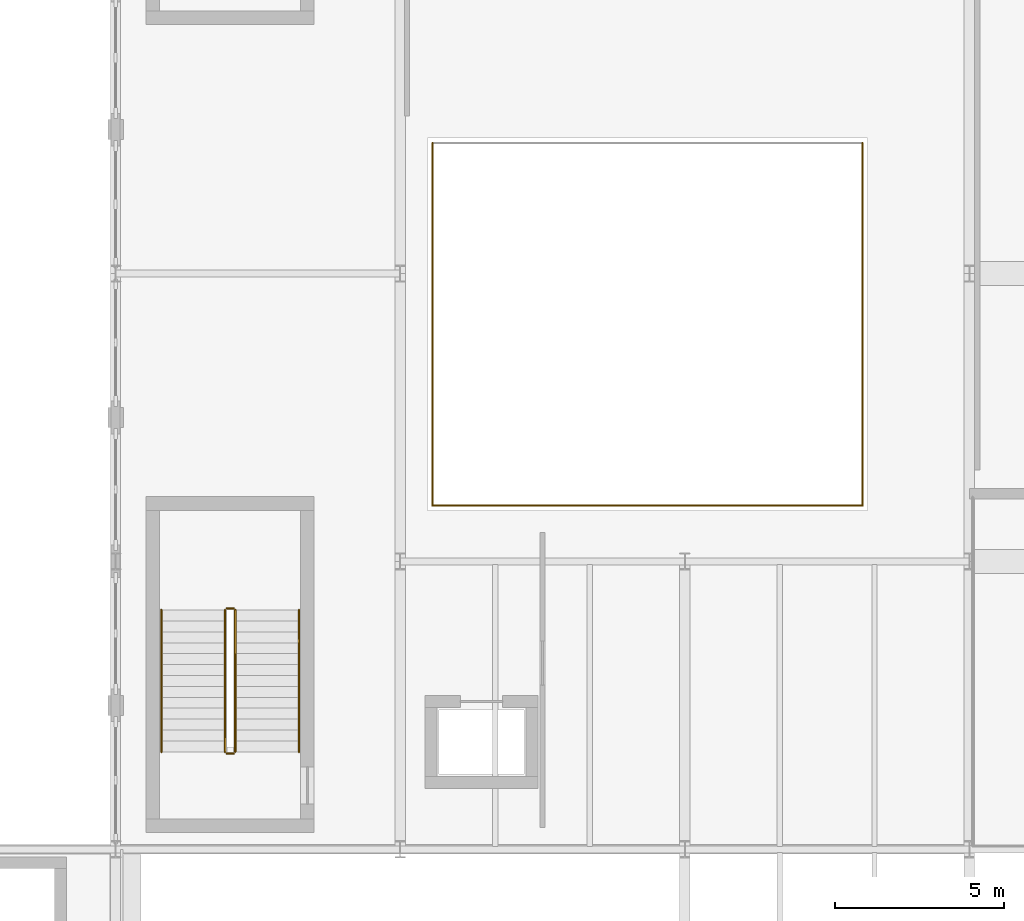
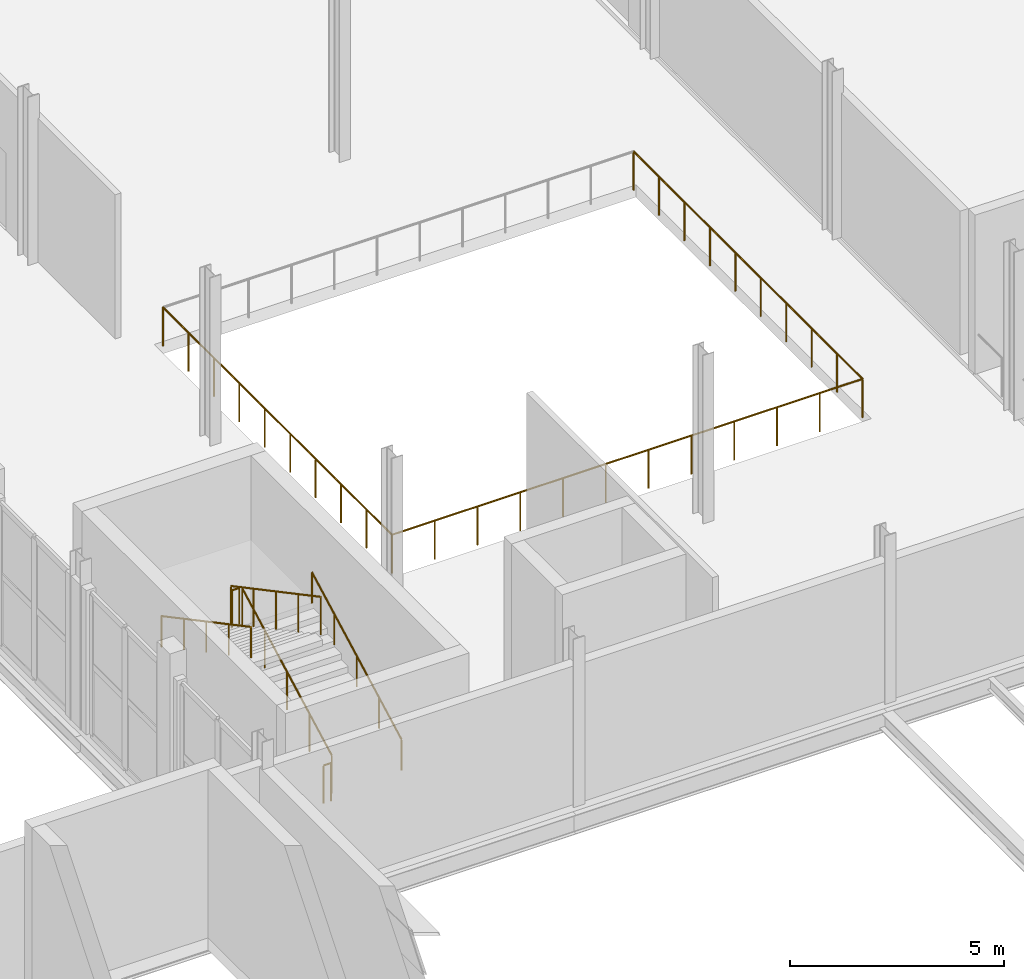
# One storey, part 58 of 63: 9 railings.
"""IFC4 building model written with IfcOpenShell, lengths in metres."""

from ifc_helpers import new_model, si_unit, direction, frame, origin, origin_2d, place, context, subcontext, project, spatial, circle, extrude, material, type_object, element, save


model = new_model("IFC4")

# Units and contexts
model_context = context("Model", 3, precision=1e-05, world=origin(), true_north=direction((0.0, 1.0)))
body_context = subcontext(model_context, "Body", "Model", "MODEL_VIEW")
ifc_project = project(units=[si_unit("LENGTHUNIT", "METRE"), si_unit("AREAUNIT", "SQUARE_METRE"), si_unit("VOLUMEUNIT", "CUBIC_METRE"), si_unit("PLANEANGLEUNIT", "RADIAN"), si_unit("MASSUNIT", "GRAM", prefix="KILO")], contexts=[model_context])

# Site, building, storey
site_placement = place(None, origin())
site = spatial("IfcSite", under=ifc_project, at=site_placement, CompositionType="ELEMENT")
building_placement = place(site_placement, origin())
building = spatial("IfcBuilding", under=site, at=building_placement, Name="Sefraquen Railside Congress Hotel", CompositionType="ELEMENT")
storey_placement = place(building_placement, frame((0.0, 0.0, 11.39990234375)))
storey = spatial("IfcBuildingStorey", under=building, at=storey_placement, Name="L02", CompositionType="ELEMENT", Elevation=11.39990234375)

# Railings
ifc_material = material(Name="Patinated wrought architectural bronze", Category="metal")
railing_type_1 = type_object("IfcRailingType", Name="TRL-BAL-110", PredefinedType="BALUSTRADE", material=ifc_material)
railing_1_placement = place(storey_placement, frame((112.550048828125, 64.14990234375, 0.0)))
element("IfcRailing", 1, at=railing_1_placement, inside=storey, type_object=railing_type_1, Name="Covered Public Passage atrium void guard L02", PredefinedType="BALUSTRADE", context=body_context, shape_type="SweptSolid", body=[
    extrude(circle(Radius=0.02392578125, at=origin_2d()), frame((0.0, 0.0, 1.09619140625), z_axis=(1.0, 0.0, 0.0), x_axis=(0.0, 1.0, 0.0)), (0.0, 0.0, 1.0), 12.699951171875),
    extrude(circle(Radius=0.02099609375, at=origin_2d()), origin(), (0.0, 0.0, 1.0), 1.072021484375),
    extrude(circle(Radius=0.02099609375, at=origin_2d()), frame((1.154541015625, 0.0, 0.0)), (0.0, 0.0, 1.0), 1.072021484375),
    extrude(circle(Radius=0.02099609375, at=origin_2d()), frame((2.30908203125, 0.0, 0.0)), (0.0, 0.0, 1.0), 1.072021484375),
    extrude(circle(Radius=0.02099609375, at=origin_2d()), frame((3.463623046875, 0.0, 0.0)), (0.0, 0.0, 1.0), 1.072021484375),
    extrude(circle(Radius=0.02099609375, at=origin_2d()), frame((4.6181640625, 0.0, 0.0)), (0.0, 0.0, 1.0), 1.072021484375),
    extrude(circle(Radius=0.02099609375, at=origin_2d()), frame((5.772705078125, 0.0, 0.0)), (0.0, 0.0, 1.0), 1.072021484375),
    extrude(circle(Radius=0.02099609375, at=origin_2d()), frame((6.92724609375, 0.0, 0.0)), (0.0, 0.0, 1.0), 1.072021484375),
    extrude(circle(Radius=0.02099609375, at=origin_2d()), frame((8.081787109375, 0.0, 0.0)), (0.0, 0.0, 1.0), 1.072021484375),
    extrude(circle(Radius=0.02099609375, at=origin_2d()), frame((9.236328125, 0.0, 0.0)), (0.0, 0.0, 1.0), 1.072021484375),
    extrude(circle(Radius=0.02099609375, at=origin_2d()), frame((10.390869140625, 0.0, 0.0)), (0.0, 0.0, 1.0), 1.072021484375),
    extrude(circle(Radius=0.02099609375, at=origin_2d()), frame((11.54541015625, 0.0, 0.0)), (0.0, 0.0, 1.0), 1.072021484375),
    extrude(circle(Radius=0.02099609375, at=origin_2d()), frame((12.699951171875, 0.0, 0.0)), (0.0, 0.0, 1.0), 1.072021484375),
])
railing_2_placement = place(storey_placement, frame((125.25, 64.14990234375, 0.0)))
element("IfcRailing", 2, at=railing_2_placement, inside=storey, type_object=railing_type_1, Name="Covered Public Passage atrium void guard L02", PredefinedType="BALUSTRADE", context=body_context, shape_type="SweptSolid", body=[
    extrude(circle(Radius=0.02392578125, at=origin_2d()), frame((0.0, 0.0, 1.09619140625), z_axis=(0.0, 1.0, 0.0), x_axis=(-1.0, 0.0, 0.0)), (0.0, 0.0, 1.0), 10.7001953125),
    extrude(circle(Radius=0.02099609375, at=origin_2d()), origin(), (0.0, 0.0, 1.0), 1.072021484375),
    extrude(circle(Radius=0.02099609375, at=origin_2d()), frame((0.0, 1.18896484375, 0.0)), (0.0, 0.0, 1.0), 1.072021484375),
    extrude(circle(Radius=0.02099609375, at=origin_2d()), frame((0.0, 2.3779296875, 0.0)), (0.0, 0.0, 1.0), 1.072021484375),
    extrude(circle(Radius=0.02099609375, at=origin_2d()), frame((0.0, 3.566650390625, 0.0)), (0.0, 0.0, 1.0), 1.072021484375),
    extrude(circle(Radius=0.02099609375, at=origin_2d()), frame((0.0, 4.755615234375, 0.0)), (0.0, 0.0, 1.0), 1.072021484375),
    extrude(circle(Radius=0.02099609375, at=origin_2d()), frame((0.0, 5.944580078125, 0.0)), (0.0, 0.0, 1.0), 1.072021484375),
    extrude(circle(Radius=0.02099609375, at=origin_2d()), frame((0.0, 7.133544921875, 0.0)), (0.0, 0.0, 1.0), 1.072021484375),
    extrude(circle(Radius=0.02099609375, at=origin_2d()), frame((0.0, 8.322265625, 0.0)), (0.0, 0.0, 1.0), 1.072021484375),
    extrude(circle(Radius=0.02099609375, at=origin_2d()), frame((0.0, 9.51123046875, 0.0)), (0.0, 0.0, 1.0), 1.072021484375),
    extrude(circle(Radius=0.02099609375, at=origin_2d()), frame((0.0, 10.7001953125, 0.0)), (0.0, 0.0, 1.0), 1.072021484375),
])
railing_3_placement = place(storey_placement, frame((112.550048828125, 74.85009765625, 0.0)))
element("IfcRailing", 3, at=railing_3_placement, inside=storey, type_object=railing_type_1, Name="Covered Public Passage atrium void guard L02", PredefinedType="BALUSTRADE", context=body_context, shape_type="SweptSolid", body=[
    extrude(circle(Radius=0.02392578125, at=origin_2d()), frame((0.0, 0.0, 1.09619140625), z_axis=(0.0, -1.0, 0.0), x_axis=(1.0, 0.0, 0.0)), (0.0, 0.0, 1.0), 10.7001953125),
    extrude(circle(Radius=0.02099609375, at=origin_2d()), origin(), (0.0, 0.0, 1.0), 1.072021484375),
    extrude(circle(Radius=0.02099609375, at=origin_2d()), frame((0.0, -1.18896484375, 0.0)), (0.0, 0.0, 1.0), 1.072021484375),
    extrude(circle(Radius=0.02099609375, at=origin_2d()), frame((0.0, -2.3779296875, 0.0)), (0.0, 0.0, 1.0), 1.072021484375),
    extrude(circle(Radius=0.02099609375, at=origin_2d()), frame((0.0, -3.566650390625, 0.0)), (0.0, 0.0, 1.0), 1.072021484375),
    extrude(circle(Radius=0.02099609375, at=origin_2d()), frame((0.0, -4.755615234375, 0.0)), (0.0, 0.0, 1.0), 1.072021484375),
    extrude(circle(Radius=0.02099609375, at=origin_2d()), frame((0.0, -5.944580078125, 0.0)), (0.0, 0.0, 1.0), 1.072021484375),
    extrude(circle(Radius=0.02099609375, at=origin_2d()), frame((0.0, -7.133544921875, 0.0)), (0.0, 0.0, 1.0), 1.072021484375),
    extrude(circle(Radius=0.02099609375, at=origin_2d()), frame((0.0, -8.322265625, 0.0)), (0.0, 0.0, 1.0), 1.072021484375),
    extrude(circle(Radius=0.02099609375, at=origin_2d()), frame((0.0, -9.51123046875, 0.0)), (0.0, 0.0, 1.0), 1.072021484375),
    extrude(circle(Radius=0.02099609375, at=origin_2d()), frame((0.0, -10.7001953125, 0.0)), (0.0, 0.0, 1.0), 1.072021484375),
])
railing_4_placement = place(storey_placement, frame((106.72998046875, 56.8798828125, 0.171630859375)))
element("IfcRailing", 4, at=railing_4_placement, inside=storey, type_object=railing_type_1, Name="L02 ST-M02 stair guard 1", PredefinedType="BALUSTRADE", context=body_context, shape_type="SweptSolid", body=[
    extrude(circle(Radius=0.02392578125, at=origin_2d()), frame((0.0, 0.0, 1.076171875), z_axis=(0.0, 0.882706117232, 0.469925430893), x_axis=(-1.0, 0.0, 0.0)), (0.0, 0.0, 1.0), 4.7421875),
    extrude(circle(Radius=0.02099609375, at=origin_2d()), origin(), (0.0, 0.0, 1.0), 1.052001953125),
    extrude(circle(Radius=0.02099609375, at=origin_2d()), frame((0.0, 1.04638671875, 0.55712890625)), (0.0, 0.0, 1.0), 1.052001953125),
    extrude(circle(Radius=0.02099609375, at=origin_2d()), frame((0.0, 2.093017578125, 1.1142578125)), (0.0, 0.0, 1.0), 1.052001953125),
    extrude(circle(Radius=0.02099609375, at=origin_2d()), frame((0.0, 3.1396484375, 1.67138671875)), (0.0, 0.0, 1.0), 1.052001953125),
    extrude(circle(Radius=0.02099609375, at=origin_2d()), frame((0.0, 4.18603515625, 2.228515625)), (0.0, 0.0, 1.0), 1.052001953125),
])
railing_5_placement = place(storey_placement, frame((106.679931640625, 61.115966796875, 2.400146484375)))
element("IfcRailing", 5, at=railing_5_placement, inside=storey, type_object=railing_type_1, Name="L02 ST-M02 stair guard 2", PredefinedType="BALUSTRADE", context=body_context, shape_type="SweptSolid", body=[
    extrude(circle(Radius=0.02392578125, at=origin_2d()), frame((0.0, 0.0, 1.076171875), z_axis=(-1.0, 0.0, 0.0), x_axis=(0.0, -1.0, 0.0)), (0.0, 0.0, 1.0), 0.199951171875),
    extrude(circle(Radius=0.02099609375, at=origin_2d()), origin(), (0.0, 0.0, 1.0), 1.052001953125),
    extrude(circle(Radius=0.02099609375, at=origin_2d()), frame((-0.199951171875, 0.0, 0.0)), (0.0, 0.0, 1.0), 1.052001953125),
])
railing_6_placement = place(storey_placement, frame((106.429931640625, 61.06591796875, 2.571533203125)))
element("IfcRailing", 6, at=railing_6_placement, inside=storey, type_object=railing_type_1, Name="L02 ST-M02 stair guard 3", PredefinedType="BALUSTRADE", context=body_context, shape_type="SweptSolid", body=[
    extrude(circle(Radius=0.02392578125, at=origin_2d()), frame((0.0, 0.0, 1.076171875), z_axis=(0.0, -0.882706117232, 0.469925430893), x_axis=(1.0, 0.0, 0.0)), (0.0, 0.0, 1.0), 4.7421875),
    extrude(circle(Radius=0.02099609375, at=origin_2d()), origin(), (0.0, 0.0, 1.0), 1.052001953125),
    extrude(circle(Radius=0.02099609375, at=origin_2d()), frame((0.0, -1.04638671875, 0.55712890625)), (0.0, 0.0, 1.0), 1.052001953125),
    extrude(circle(Radius=0.02099609375, at=origin_2d()), frame((0.0, -2.093017578125, 1.1142578125)), (0.0, 0.0, 1.0), 1.052001953125),
    extrude(circle(Radius=0.02099609375, at=origin_2d()), frame((0.0, -3.1396484375, 1.67138671875)), (0.0, 0.0, 1.0), 1.052001953125),
    extrude(circle(Radius=0.02099609375, at=origin_2d()), frame((0.0, -4.18603515625, 2.228515625)), (0.0, 0.0, 1.0), 1.052001953125),
])
railing_7_placement = place(storey_placement, frame((106.679931640625, 56.830078125, 0.0)))
element("IfcRailing", 7, at=railing_7_placement, inside=storey, type_object=railing_type_1, Name="L02 ST-M02 stair guard 4", PredefinedType="BALUSTRADE", context=body_context, shape_type="SweptSolid", body=[
    extrude(circle(Radius=0.02392578125, at=origin_2d()), frame((0.0, 0.0, 1.076171875), z_axis=(-1.0, 0.0, 0.0), x_axis=(0.0, -1.0, 0.0)), (0.0, 0.0, 1.0), 0.199951171875),
    extrude(circle(Radius=0.02099609375, at=origin_2d()), origin(), (0.0, 0.0, 1.0), 1.052001953125),
    extrude(circle(Radius=0.02099609375, at=origin_2d()), frame((-0.199951171875, 0.0, 0.0)), (0.0, 0.0, 1.0), 1.052001953125),
])
railing_type_2 = type_object("IfcRailingType", Name="TRL-HR-090", PredefinedType="HANDRAIL", material=ifc_material)
railing_8_placement = place(storey_placement, frame((108.610107421875, 56.8798828125, 0.171630859375)))
element("IfcRailing", 8, at=railing_8_placement, inside=storey, type_object=railing_type_2, Name="L02 ST-M02 stair handrail 1", PredefinedType="HANDRAIL", context=body_context, shape_type="SweptSolid", body=[
    extrude(circle(Radius=0.02392578125, at=origin_2d()), frame((0.0, 0.0, 0.8759765625), z_axis=(0.0, 0.882706117232, 0.469925430893), x_axis=(-1.0, 0.0, 0.0)), (0.0, 0.0, 1.0), 4.7421875),
    extrude(circle(Radius=0.02099609375, at=origin_2d()), origin(), (0.0, 0.0, 1.0), 0.851806640625),
    extrude(circle(Radius=0.02099609375, at=origin_2d()), frame((0.0, 1.04638671875, 0.55712890625)), (0.0, 0.0, 1.0), 0.851806640625),
    extrude(circle(Radius=0.02099609375, at=origin_2d()), frame((0.0, 2.093017578125, 1.1142578125)), (0.0, 0.0, 1.0), 0.851806640625),
    extrude(circle(Radius=0.02099609375, at=origin_2d()), frame((0.0, 3.1396484375, 1.67138671875)), (0.0, 0.0, 1.0), 0.851806640625),
    extrude(circle(Radius=0.02099609375, at=origin_2d()), frame((0.0, 4.18603515625, 2.228515625)), (0.0, 0.0, 1.0), 0.851806640625),
])
railing_9_placement = place(storey_placement, frame((104.550048828125, 61.06591796875, 2.571533203125)))
element("IfcRailing", 9, at=railing_9_placement, inside=storey, type_object=railing_type_2, Name="L02 ST-M02 stair handrail 2", PredefinedType="HANDRAIL", context=body_context, shape_type="SweptSolid", body=[
    extrude(circle(Radius=0.02392578125, at=origin_2d()), frame((0.0, 0.0, 0.8759765625), z_axis=(0.0, -0.882706117232, 0.469925430893), x_axis=(1.0, 0.0, 0.0)), (0.0, 0.0, 1.0), 4.7421875),
    extrude(circle(Radius=0.02099609375, at=origin_2d()), origin(), (0.0, 0.0, 1.0), 0.851806640625),
    extrude(circle(Radius=0.02099609375, at=origin_2d()), frame((0.0, -1.04638671875, 0.55712890625)), (0.0, 0.0, 1.0), 0.851806640625),
    extrude(circle(Radius=0.02099609375, at=origin_2d()), frame((0.0, -2.093017578125, 1.1142578125)), (0.0, 0.0, 1.0), 0.851806640625),
    extrude(circle(Radius=0.02099609375, at=origin_2d()), frame((0.0, -3.1396484375, 1.67138671875)), (0.0, 0.0, 1.0), 0.851806640625),
    extrude(circle(Radius=0.02099609375, at=origin_2d()), frame((0.0, -4.18603515625, 2.228515625)), (0.0, 0.0, 1.0), 0.851806640625),
])

save(model, "model.ifc")
